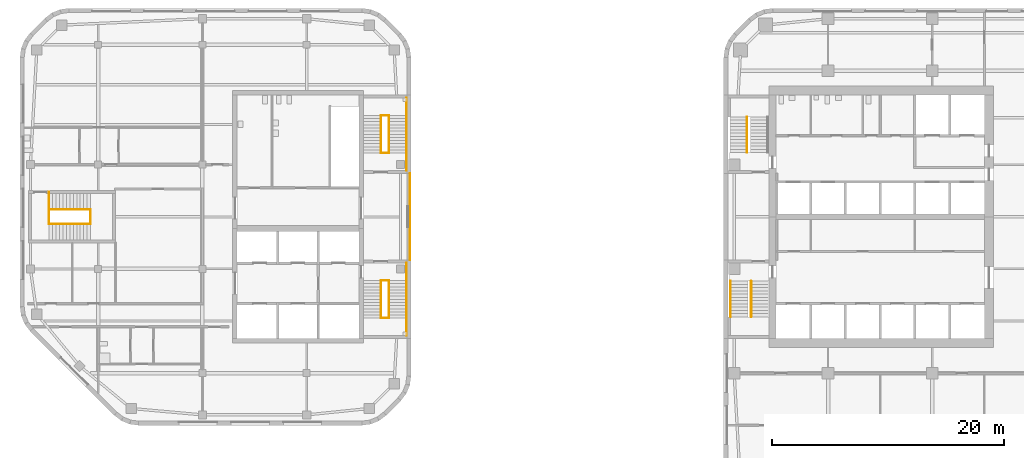
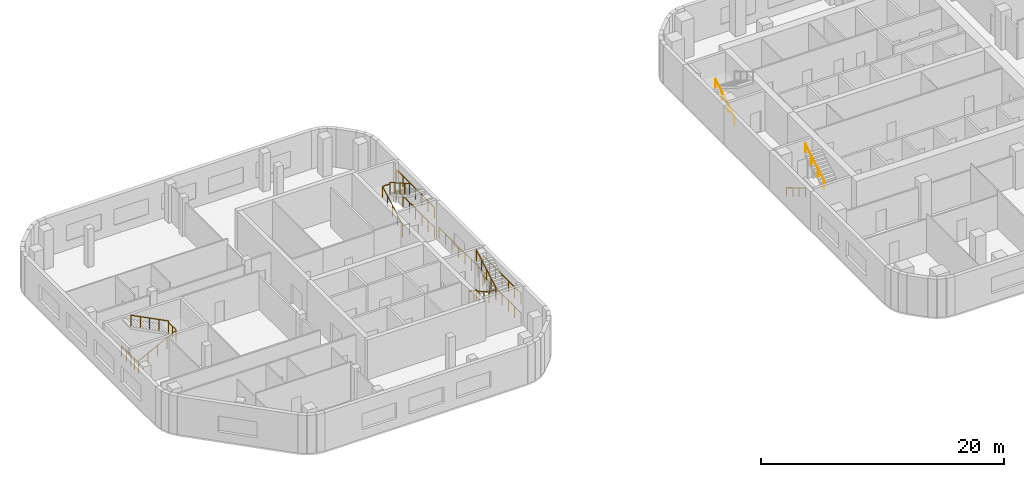
# One storey, part 12 of 14: 21 railings, 2 elements without a shape of their own.
"""IFC4 building model written with IfcOpenShell, lengths in metres."""

from ifc_helpers import new_model, si_unit, direction, frame, origin, origin_2d, place, context, subcontext, project, spatial, circle, extrude, material, type_object, element, aggregate, save


model = new_model("IFC4")

# Units and contexts
model_context = context("Model", 3, precision=1e-05, world=origin(), true_north=direction((0.0, 1.0)))
body_context = subcontext(model_context, "Body", "Model", "MODEL_VIEW")
ifc_project = project(units=[si_unit("LENGTHUNIT", "METRE"), si_unit("AREAUNIT", "SQUARE_METRE"), si_unit("VOLUMEUNIT", "CUBIC_METRE"), si_unit("PLANEANGLEUNIT", "RADIAN"), si_unit("MASSUNIT", "GRAM", prefix="KILO")], contexts=[model_context])

# Site, building, storey
site_placement = place(None, origin())
site = spatial("IfcSite", under=ifc_project, at=site_placement, CompositionType="ELEMENT")
building_placement = place(site_placement, origin())
building = spatial("IfcBuilding", under=site, at=building_placement, Name="Cinnabar Reach Civic Tower", CompositionType="ELEMENT")
storey_placement = place(building_placement, frame((0.0, 0.0, 124.0)))
storey = spatial("IfcBuildingStorey", under=building, at=storey_placement, Name="L29", CompositionType="ELEMENT", Elevation=124.0)

# Stair, railings
ifc_material_1 = material(Name="Concrete C40/50", Category="concrete")
stair_type = type_object("IfcStairType", Name="T1 Exit stair, half-turn", PredefinedType="HALF_TURN_STAIR", material=ifc_material_1)
stair_1_placement = place(storey_placement, origin())
stair_1 = element("IfcStair", 1, at=stair_1_placement, inside=storey, type_object=stair_type, Name="Stair T1-S1", PredefinedType="HALF_TURN_STAIR")
ifc_material_2 = material(Name="Stainless steel tube", Category="steel")
railing_type_1 = type_object("IfcRailingType", Name="T1 Stair handrail, stainless tube 48", PredefinedType="HANDRAIL", material=ifc_material_2)
railing_1_placement = place(storey_placement, frame((0.6, 25.95, 0.1667)))
railing_1 = element("IfcRailing", 2, at=railing_1_placement, type_object=railing_type_1, Name="T1-S1 handrail 1", PredefinedType="HANDRAIL", context=body_context, shape_type="SweptSolid", body=[
    extrude(circle(Radius=0.024, at=origin_2d()), frame((0.0, 0.0, 0.876), z_axis=(0.0, -0.859296971757, 0.511476992962), x_axis=(1.0, 0.0, 0.0)), (0.0, 0.0, 1.0), 3.5843),
    extrude(circle(Radius=0.021, at=origin_2d()), origin(), (0.0, 0.0, 1.0), 0.852),
    extrude(circle(Radius=0.021, at=origin_2d()), frame((0.0, -1.0267, 0.6111)), (0.0, 0.0, 1.0), 0.852),
    extrude(circle(Radius=0.021, at=origin_2d()), frame((0.0, -2.0533, 1.2222)), (0.0, 0.0, 1.0), 0.852),
    extrude(circle(Radius=0.021, at=origin_2d()), frame((0.0, -3.08, 1.8333)), (0.0, 0.0, 1.0), 0.852),
])
railing_2_placement = place(storey_placement, frame((2.375, 22.87, 2.1667)))
railing_2 = element("IfcRailing", 3, at=railing_2_placement, type_object=railing_type_1, Name="T1-S1 handrail 2", PredefinedType="HANDRAIL", context=body_context, shape_type="SweptSolid", body=[
    extrude(circle(Radius=0.024, at=origin_2d()), frame((0.0, 0.0, 0.876), z_axis=(0.0, 0.859296971757, 0.511476992962), x_axis=(-1.0, 0.0, 0.0)), (0.0, 0.0, 1.0), 3.5843),
    extrude(circle(Radius=0.021, at=origin_2d()), origin(), (0.0, 0.0, 1.0), 0.852),
    extrude(circle(Radius=0.021, at=origin_2d()), frame((0.0, 1.0267, 0.6111)), (0.0, 0.0, 1.0), 0.852),
    extrude(circle(Radius=0.021, at=origin_2d()), frame((0.0, 2.0533, 1.2222)), (0.0, 0.0, 1.0), 0.852),
    extrude(circle(Radius=0.021, at=origin_2d()), frame((0.0, 3.08, 1.8333)), (0.0, 0.0, 1.0), 0.852),
])
aggregate(stair_1, [railing_1, railing_2])

# Stair, railing
stair_2_placement = place(storey_placement, origin())
stair_2 = element("IfcStair", 4, at=stair_2_placement, inside=storey, type_object=stair_type, Name="Stair T1-S2", PredefinedType="HALF_TURN_STAIR")
railing_3_placement = place(storey_placement, frame((2.025, 37.05, 0.1667)))
railing_3 = element("IfcRailing", 5, at=railing_3_placement, type_object=railing_type_1, Name="T1-S2 handrail 1", PredefinedType="HANDRAIL", context=body_context, shape_type="SweptSolid", body=[
    extrude(circle(Radius=0.024, at=origin_2d()), frame((0.0, 0.0, 0.876), z_axis=(0.0, 0.859296971757, 0.511476992962), x_axis=(-1.0, 0.0, 0.0)), (0.0, 0.0, 1.0), 3.5843),
    extrude(circle(Radius=0.021, at=origin_2d()), origin(), (0.0, 0.0, 1.0), 0.852),
    extrude(circle(Radius=0.021, at=origin_2d()), frame((0.0, 1.0267, 0.6111)), (0.0, 0.0, 1.0), 0.852),
    extrude(circle(Radius=0.021, at=origin_2d()), frame((0.0, 2.0533, 1.2222)), (0.0, 0.0, 1.0), 0.852),
    extrude(circle(Radius=0.021, at=origin_2d()), frame((0.0, 3.08, 1.8333)), (0.0, 0.0, 1.0), 0.852),
])
aggregate(stair_2, [railing_3])

# Railings
ifc_material_3 = material(Name="Stainless steel", Category="steel")
railing_type_2 = type_object("IfcRailingType", Name="T2 Stair guard 1100", PredefinedType="GUARDRAIL", material=ifc_material_3)
railing_4_placement = place(storey_placement, frame((-27.1, 27.75, 0.0)))
element("IfcRailing", 6, at=railing_4_placement, inside=storey, type_object=railing_type_2, Name="Corridor end guard", PredefinedType="GUARDRAIL", context=body_context, shape_type="SweptSolid", body=[
    extrude(circle(Radius=0.024, at=origin_2d()), frame((0.0, 0.0, 1.076), z_axis=(0.0, 1.0, 0.0), x_axis=(-1.0, 0.0, 0.0)), (0.0, 0.0, 1.0), 7.5),
    extrude(circle(Radius=0.021, at=origin_2d()), origin(), (0.0, 0.0, 1.0), 1.052),
    extrude(circle(Radius=0.021, at=origin_2d()), frame((0.0, 1.0714, 0.0)), (0.0, 0.0, 1.0), 1.052),
    extrude(circle(Radius=0.021, at=origin_2d()), frame((0.0, 2.1429, 0.0)), (0.0, 0.0, 1.0), 1.052),
    extrude(circle(Radius=0.021, at=origin_2d()), frame((0.0, 3.2143, 0.0)), (0.0, 0.0, 1.0), 1.052),
    extrude(circle(Radius=0.021, at=origin_2d()), frame((0.0, 4.2857, 0.0)), (0.0, 0.0, 1.0), 1.052),
    extrude(circle(Radius=0.021, at=origin_2d()), frame((0.0, 5.3571, 0.0)), (0.0, 0.0, 1.0), 1.052),
    extrude(circle(Radius=0.021, at=origin_2d()), frame((0.0, 6.4286, 0.0)), (0.0, 0.0, 1.0), 1.052),
    extrude(circle(Radius=0.021, at=origin_2d()), frame((0.0, 7.5, 0.0)), (0.0, 0.0, 1.0), 1.052),
])
for number, where, name in (
    (7, (-27.4, 21.25, 0.0), "Stair guard 1"),
    (8, (-27.4, 21.25, 2.0), "Stair guard 1"),
):
    element("IfcRailing", number, at=place(storey_placement, frame(where)), inside=storey, type_object=railing_type_2, Name=name, PredefinedType="GUARDRAIL", context=body_context, shape_type="SweptSolid", body=[
        extrude(circle(Radius=0.024, at=origin_2d()), frame((0.0, 0.0, 1.076), z_axis=(0.0, 1.0, 0.0), x_axis=(-1.0, 0.0, 0.0)), (0.0, 0.0, 1.0), 6.25),
        extrude(circle(Radius=0.021, at=origin_2d()), origin(), (0.0, 0.0, 1.0), 1.052),
        extrude(circle(Radius=0.021, at=origin_2d()), frame((0.0, 1.0417, 0.0)), (0.0, 0.0, 1.0), 1.052),
        extrude(circle(Radius=0.021, at=origin_2d()), frame((0.0, 2.0833, 0.0)), (0.0, 0.0, 1.0), 1.052),
        extrude(circle(Radius=0.021, at=origin_2d()), frame((0.0, 3.125, 0.0)), (0.0, 0.0, 1.0), 1.052),
        extrude(circle(Radius=0.021, at=origin_2d()), frame((0.0, 4.1667, 0.0)), (0.0, 0.0, 1.0), 1.052),
        extrude(circle(Radius=0.021, at=origin_2d()), frame((0.0, 5.2083, 0.0)), (0.0, 0.0, 1.0), 1.052),
        extrude(circle(Radius=0.021, at=origin_2d()), frame((0.0, 6.25, 0.0)), (0.0, 0.0, 1.0), 1.052),
    ])
for number, where, name in (
    (9, (-29.6, 26.0, 0.0), "Stair guard 1"),
    (10, (-29.6, 22.75, 2.0), "Stair guard 1"),
):
    element("IfcRailing", number, at=place(storey_placement, frame(where)), inside=storey, type_object=railing_type_2, Name=name, PredefinedType="GUARDRAIL", context=body_context, shape_type="SweptSolid", body=[
        extrude(circle(Radius=0.024, at=origin_2d()), frame((0.0, 0.0, 1.076), z_axis=(1.0, 0.0, 0.0), x_axis=(0.0, 1.0, 0.0)), (0.0, 0.0, 1.0), 0.7),
        extrude(circle(Radius=0.021, at=origin_2d()), origin(), (0.0, 0.0, 1.0), 1.052),
        extrude(circle(Radius=0.021, at=origin_2d()), frame((0.7, 0.0, 0.0)), (0.0, 0.0, 1.0), 1.052),
    ])
railing_5_placement = place(storey_placement, frame((-29.6, 26.0, 0.1538)))
element("IfcRailing", 11, at=railing_5_placement, inside=storey, type_object=railing_type_2, Name="Stair guard 1", PredefinedType="GUARDRAIL", context=body_context, shape_type="SweptSolid", body=[
    extrude(circle(Radius=0.024, at=origin_2d()), frame((0.0, 0.0, 1.076), z_axis=(0.0, -0.869501474428, 0.493930345258), x_axis=(1.0, 0.0, 0.0)), (0.0, 0.0, 1.0), 3.7378),
    extrude(circle(Radius=0.021, at=origin_2d()), origin(), (0.0, 0.0, 1.0), 1.052),
    extrude(circle(Radius=0.021, at=origin_2d()), frame((0.0, -0.8125, 0.4615)), (0.0, 0.0, 1.0), 1.052),
    extrude(circle(Radius=0.021, at=origin_2d()), frame((0.0, -1.625, 0.9231)), (0.0, 0.0, 1.0), 1.052),
    extrude(circle(Radius=0.021, at=origin_2d()), frame((0.0, -2.4375, 1.3846)), (0.0, 0.0, 1.0), 1.052),
    extrude(circle(Radius=0.021, at=origin_2d()), frame((0.0, -3.25, 1.8462)), (0.0, 0.0, 1.0), 1.052),
])
railing_6_placement = place(storey_placement, frame((-28.9, 22.75, 2.1538)))
element("IfcRailing", 12, at=railing_6_placement, inside=storey, type_object=railing_type_2, Name="Stair guard 1", PredefinedType="GUARDRAIL", context=body_context, shape_type="SweptSolid", body=[
    extrude(circle(Radius=0.024, at=origin_2d()), frame((0.0, 0.0, 1.076), z_axis=(0.0, 0.869501474428, 0.493930345258), x_axis=(-1.0, 0.0, 0.0)), (0.0, 0.0, 1.0), 3.7378),
    extrude(circle(Radius=0.021, at=origin_2d()), origin(), (0.0, 0.0, 1.0), 1.052),
    extrude(circle(Radius=0.021, at=origin_2d()), frame((0.0, 0.8125, 0.4615)), (0.0, 0.0, 1.0), 1.052),
    extrude(circle(Radius=0.021, at=origin_2d()), frame((0.0, 1.625, 0.9231)), (0.0, 0.0, 1.0), 1.052),
    extrude(circle(Radius=0.021, at=origin_2d()), frame((0.0, 2.4375, 1.3846)), (0.0, 0.0, 1.0), 1.052),
    extrude(circle(Radius=0.021, at=origin_2d()), frame((0.0, 3.25, 1.8462)), (0.0, 0.0, 1.0), 1.052),
])
for number, where, name in (
    (13, (-27.4, 35.5, 0.0), "Stair guard 2"),
    (14, (-27.4, 35.5, 2.0), "Stair guard 2"),
):
    element("IfcRailing", number, at=place(storey_placement, frame(where)), inside=storey, type_object=railing_type_2, Name=name, PredefinedType="GUARDRAIL", context=body_context, shape_type="SweptSolid", body=[
        extrude(circle(Radius=0.024, at=origin_2d()), frame((0.0, 0.0, 1.076), z_axis=(0.0, 1.0, 0.0), x_axis=(-1.0, 0.0, 0.0)), (0.0, 0.0, 1.0), 6.25),
        extrude(circle(Radius=0.021, at=origin_2d()), origin(), (0.0, 0.0, 1.0), 1.052),
        extrude(circle(Radius=0.021, at=origin_2d()), frame((0.0, 1.0417, 0.0)), (0.0, 0.0, 1.0), 1.052),
        extrude(circle(Radius=0.021, at=origin_2d()), frame((0.0, 2.0833, 0.0)), (0.0, 0.0, 1.0), 1.052),
        extrude(circle(Radius=0.021, at=origin_2d()), frame((0.0, 3.125, 0.0)), (0.0, 0.0, 1.0), 1.052),
        extrude(circle(Radius=0.021, at=origin_2d()), frame((0.0, 4.1667, 0.0)), (0.0, 0.0, 1.0), 1.052),
        extrude(circle(Radius=0.021, at=origin_2d()), frame((0.0, 5.2083, 0.0)), (0.0, 0.0, 1.0), 1.052),
        extrude(circle(Radius=0.021, at=origin_2d()), frame((0.0, 6.25, 0.0)), (0.0, 0.0, 1.0), 1.052),
    ])
for number, where, name in (
    (15, (-29.6, 37.0, 0.0), "Stair guard 2"),
    (16, (-29.6, 40.25, 2.0), "Stair guard 2"),
):
    element("IfcRailing", number, at=place(storey_placement, frame(where)), inside=storey, type_object=railing_type_2, Name=name, PredefinedType="GUARDRAIL", context=body_context, shape_type="SweptSolid", body=[
        extrude(circle(Radius=0.024, at=origin_2d()), frame((0.0, 0.0, 1.076), z_axis=(1.0, 0.0, 0.0), x_axis=(0.0, 1.0, 0.0)), (0.0, 0.0, 1.0), 0.7),
        extrude(circle(Radius=0.021, at=origin_2d()), origin(), (0.0, 0.0, 1.0), 1.052),
        extrude(circle(Radius=0.021, at=origin_2d()), frame((0.7, 0.0, 0.0)), (0.0, 0.0, 1.0), 1.052),
    ])
railing_7_placement = place(storey_placement, frame((-29.6, 37.0, 0.1538)))
element("IfcRailing", 17, at=railing_7_placement, inside=storey, type_object=railing_type_2, Name="Stair guard 2", PredefinedType="GUARDRAIL", context=body_context, shape_type="SweptSolid", body=[
    extrude(circle(Radius=0.024, at=origin_2d()), frame((0.0, 0.0, 1.076), z_axis=(0.0, 0.869501474428, 0.493930345258), x_axis=(-1.0, 0.0, 0.0)), (0.0, 0.0, 1.0), 3.7378),
    extrude(circle(Radius=0.021, at=origin_2d()), origin(), (0.0, 0.0, 1.0), 1.052),
    extrude(circle(Radius=0.021, at=origin_2d()), frame((0.0, 0.8125, 0.4615)), (0.0, 0.0, 1.0), 1.052),
    extrude(circle(Radius=0.021, at=origin_2d()), frame((0.0, 1.625, 0.9231)), (0.0, 0.0, 1.0), 1.052),
    extrude(circle(Radius=0.021, at=origin_2d()), frame((0.0, 2.4375, 1.3846)), (0.0, 0.0, 1.0), 1.052),
    extrude(circle(Radius=0.021, at=origin_2d()), frame((0.0, 3.25, 1.8462)), (0.0, 0.0, 1.0), 1.052),
])
railing_8_placement = place(storey_placement, frame((-28.9, 40.25, 2.1538)))
element("IfcRailing", 18, at=railing_8_placement, inside=storey, type_object=railing_type_2, Name="Stair guard 2", PredefinedType="GUARDRAIL", context=body_context, shape_type="SweptSolid", body=[
    extrude(circle(Radius=0.024, at=origin_2d()), frame((0.0, 0.0, 1.076), z_axis=(0.0, -0.869501474428, 0.493930345258), x_axis=(1.0, 0.0, 0.0)), (0.0, 0.0, 1.0), 3.7378),
    extrude(circle(Radius=0.021, at=origin_2d()), origin(), (0.0, 0.0, 1.0), 1.052),
    extrude(circle(Radius=0.021, at=origin_2d()), frame((0.0, -0.8125, 0.4615)), (0.0, 0.0, 1.0), 1.052),
    extrude(circle(Radius=0.021, at=origin_2d()), frame((0.0, -1.625, 0.9231)), (0.0, 0.0, 1.0), 1.052),
    extrude(circle(Radius=0.021, at=origin_2d()), frame((0.0, -2.4375, 1.3846)), (0.0, 0.0, 1.0), 1.052),
    extrude(circle(Radius=0.021, at=origin_2d()), frame((0.0, -3.25, 1.8462)), (0.0, 0.0, 1.0), 1.052),
])
railing_9_placement = place(storey_placement, frame((-58.25, 30.875, 0.0)))
element("IfcRailing", 19, at=railing_9_placement, inside=storey, type_object=railing_type_2, Name="Stair guard 3", PredefinedType="GUARDRAIL", context=body_context, shape_type="SweptSolid", body=[
    extrude(circle(Radius=0.024, at=origin_2d()), frame((0.0, 0.0, 1.076), z_axis=(0.0, 1.0, 0.0), x_axis=(-1.0, 0.0, 0.0)), (0.0, 0.0, 1.0), 1.25),
    extrude(circle(Radius=0.021, at=origin_2d()), origin(), (0.0, 0.0, 1.0), 1.052),
    extrude(circle(Radius=0.021, at=origin_2d()), frame((0.0, 0.625, 0.0)), (0.0, 0.0, 1.0), 1.052),
    extrude(circle(Radius=0.021, at=origin_2d()), frame((0.0, 1.25, 0.0)), (0.0, 0.0, 1.0), 1.052),
])
railing_10_placement = place(storey_placement, frame((-58.25, 32.125, 0.0)))
element("IfcRailing", 20, at=railing_10_placement, inside=storey, type_object=railing_type_2, Name="Stair guard 3", PredefinedType="GUARDRAIL", context=body_context, shape_type="SweptSolid", body=[
    extrude(circle(Radius=0.024, at=origin_2d()), frame((0.0, 0.0, 1.076), z_axis=(0.0, 1.0, 0.0), x_axis=(-1.0, 0.0, 0.0)), (0.0, 0.0, 1.0), 1.5),
    extrude(circle(Radius=0.021, at=origin_2d()), origin(), (0.0, 0.0, 1.0), 1.052),
    extrude(circle(Radius=0.021, at=origin_2d()), frame((0.0, 0.75, 0.0)), (0.0, 0.0, 1.0), 1.052),
    extrude(circle(Radius=0.021, at=origin_2d()), frame((0.0, 1.5, 0.0)), (0.0, 0.0, 1.0), 1.052),
])
railing_11_placement = place(storey_placement, frame((-54.65, 30.875, 2.0)))
element("IfcRailing", 21, at=railing_11_placement, inside=storey, type_object=railing_type_2, Name="Stair guard 3", PredefinedType="GUARDRAIL", context=body_context, shape_type="SweptSolid", body=[
    extrude(circle(Radius=0.024, at=origin_2d()), frame((0.0, 0.0, 1.076), z_axis=(0.0, 1.0, 0.0), x_axis=(-1.0, 0.0, 0.0)), (0.0, 0.0, 1.0), 1.25),
    extrude(circle(Radius=0.021, at=origin_2d()), origin(), (0.0, 0.0, 1.0), 1.052),
    extrude(circle(Radius=0.021, at=origin_2d()), frame((0.0, 0.625, 0.0)), (0.0, 0.0, 1.0), 1.052),
    extrude(circle(Radius=0.021, at=origin_2d()), frame((0.0, 1.25, 0.0)), (0.0, 0.0, 1.0), 1.052),
])
railing_12_placement = place(storey_placement, frame((-58.25, 30.875, 0.1538)))
element("IfcRailing", 22, at=railing_12_placement, inside=storey, type_object=railing_type_2, Name="Stair guard 3", PredefinedType="GUARDRAIL", context=body_context, shape_type="SweptSolid", body=[
    extrude(circle(Radius=0.024, at=origin_2d()), frame((0.0, 0.0, 1.076), z_axis=(0.889812830738, 0.0, 0.45632568003), x_axis=(0.0, 1.0, 0.0)), (0.0, 0.0, 1.0), 4.0458),
    extrude(circle(Radius=0.021, at=origin_2d()), origin(), (0.0, 0.0, 1.0), 1.052),
    extrude(circle(Radius=0.021, at=origin_2d()), frame((0.9, 0.0, 0.4615)), (0.0, 0.0, 1.0), 1.052),
    extrude(circle(Radius=0.021, at=origin_2d()), frame((1.8, 0.0, 0.9231)), (0.0, 0.0, 1.0), 1.052),
    extrude(circle(Radius=0.021, at=origin_2d()), frame((2.7, 0.0, 1.3846)), (0.0, 0.0, 1.0), 1.052),
    extrude(circle(Radius=0.021, at=origin_2d()), frame((3.6, 0.0, 1.8462)), (0.0, 0.0, 1.0), 1.052),
])
railing_13_placement = place(storey_placement, frame((-54.65, 32.125, 2.1538)))
element("IfcRailing", 23, at=railing_13_placement, inside=storey, type_object=railing_type_2, Name="Stair guard 3", PredefinedType="GUARDRAIL", context=body_context, shape_type="SweptSolid", body=[
    extrude(circle(Radius=0.024, at=origin_2d()), frame((0.0, 0.0, 1.076), z_axis=(-0.889812830738, 0.0, 0.45632568003), x_axis=(0.0, -1.0, 0.0)), (0.0, 0.0, 1.0), 4.0458),
    extrude(circle(Radius=0.021, at=origin_2d()), origin(), (0.0, 0.0, 1.0), 1.052),
    extrude(circle(Radius=0.021, at=origin_2d()), frame((-0.9, 0.0, 0.4615)), (0.0, 0.0, 1.0), 1.052),
    extrude(circle(Radius=0.021, at=origin_2d()), frame((-1.8, 0.0, 0.9231)), (0.0, 0.0, 1.0), 1.052),
    extrude(circle(Radius=0.021, at=origin_2d()), frame((-2.7, 0.0, 1.3846)), (0.0, 0.0, 1.0), 1.052),
    extrude(circle(Radius=0.021, at=origin_2d()), frame((-3.6, 0.0, 1.8462)), (0.0, 0.0, 1.0), 1.052),
])

save(model, "model.ifc")
